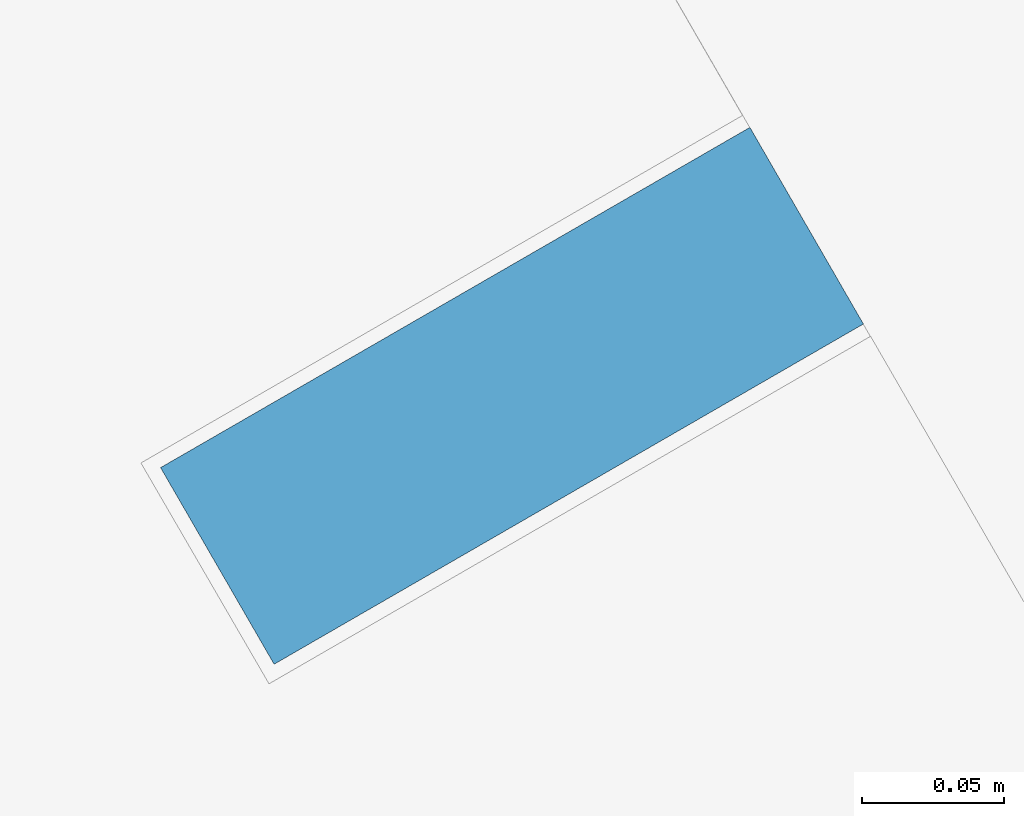
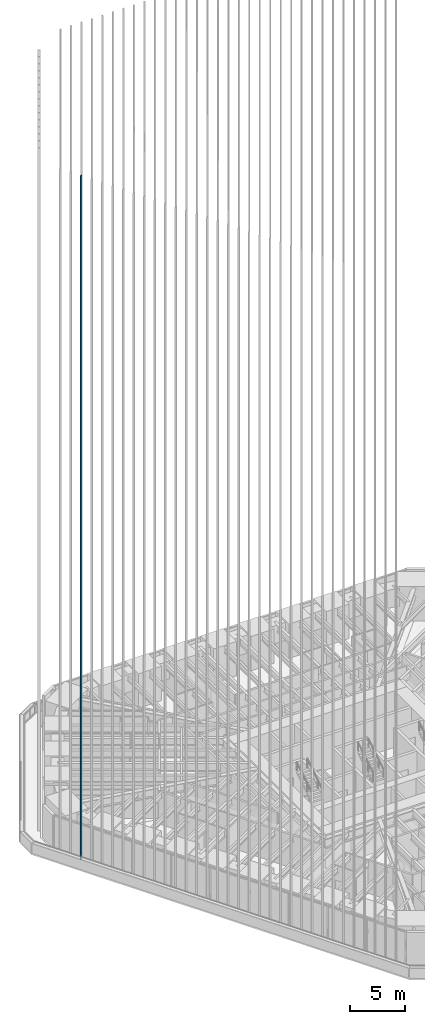
# One storey, part 119 of 238: 1 member, 1 element without a shape of its own.
"""IFC4 building model written with IfcOpenShell, lengths in metres."""

from ifc_helpers import new_model, si_unit, direction, frame, origin, origin_2d, place, context, subcontext, project, spatial, rectangle, extrude, material, material_profile, profile_set, type_object, element, aggregate, save


model = new_model("IFC4")

# Units and contexts
model_context = context("Model", 3, precision=1e-05, world=origin(), true_north=direction((0.0, 1.0)))
body_context = subcontext(model_context, "Body", "Model", "MODEL_VIEW")
ifc_project = project(units=[si_unit("LENGTHUNIT", "METRE"), si_unit("AREAUNIT", "SQUARE_METRE"), si_unit("VOLUMEUNIT", "CUBIC_METRE"), si_unit("PLANEANGLEUNIT", "RADIAN"), si_unit("MASSUNIT", "GRAM", prefix="KILO")], contexts=[model_context])

# Site, building, storey
site_placement = place(None, origin())
site = spatial("IfcSite", under=ifc_project, at=site_placement, CompositionType="ELEMENT")
building_placement = place(site_placement, origin())
building = spatial("IfcBuilding", under=site, at=building_placement, Name="Sandreach Pilgrim Tower", CompositionType="ELEMENT")
storey_placement = place(building_placement, frame((0.0, 0.0, 96.800048828125)))
storey = spatial("IfcBuildingStorey", under=building, at=storey_placement, Name="L23", CompositionType="ELEMENT", Elevation=96.800048828125)

# Curtain wall, member
ifc_material_1 = material(Name="Aluminium framed curtain wall", Category="aluminium")
curtain_wall_type = type_object("IfcCurtainWallType", Name="Hotel tower curtain wall", PredefinedType="NOTDEFINED", material=ifc_material_1)
curtain_wall_placement = place(storey_placement, origin())
curtain_wall = element("IfcCurtainWall", 1, at=curtain_wall_placement, inside=storey, type_object=curtain_wall_type, Name="CW-2 L23 SW", PredefinedType="NOTDEFINED")
ifc_material_2 = material(Name="Extruded terracotta on aluminium core", Category="masonry")
ifc_material_profile = material_profile(ifc_material_2, rectangle(XDim=0.080078125, YDim=0.239990234375, at=origin_2d()), Name="TBW 80X240")
ifc_profile_set = profile_set([ifc_material_profile], Name="Extruded terracotta on aluminium core")
member_type = type_object("IfcMemberType", Name="Terracotta baguette west", PredefinedType="USERDEFINED", material=ifc_profile_set)
member_placement = place(storey_placement, frame((-27.5537109375, 1.89697265625, 0.0), z_axis=(0.0, 0.0, 1.0), x_axis=(-0.5, 0.866025403784, 0.0)))
member = element("IfcMember", 2, at=member_placement, type_object=member_type, Name="Baguette Z2 SW31", ObjectType="BAGUETTE", PredefinedType="USERDEFINED", context=body_context, shape_type="SweptSolid", body=[
    extrude(rectangle(XDim=0.080078125, YDim=0.239990234375, at=origin_2d()), origin(), (0.0, 0.0, 1.0), 75.83984375),
])
aggregate(curtain_wall, [member])

save(model, "model.ifc")
